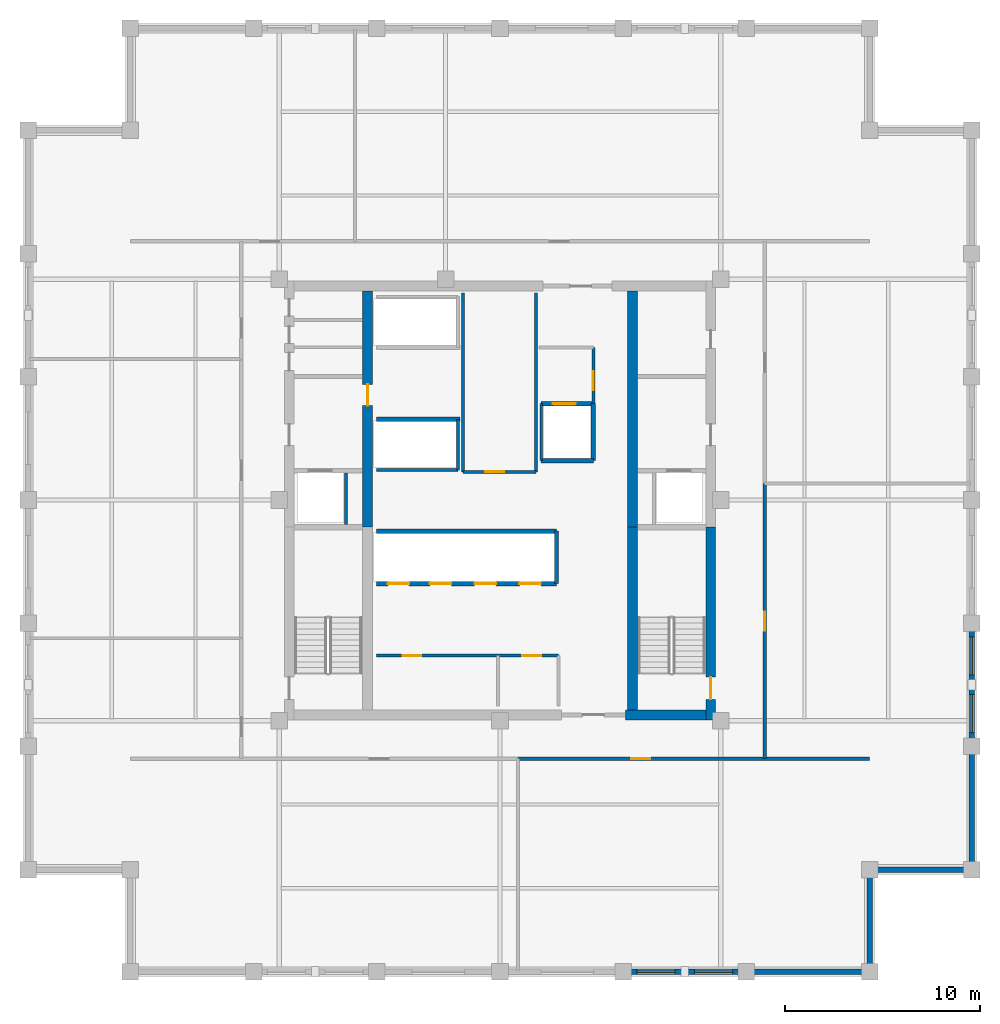
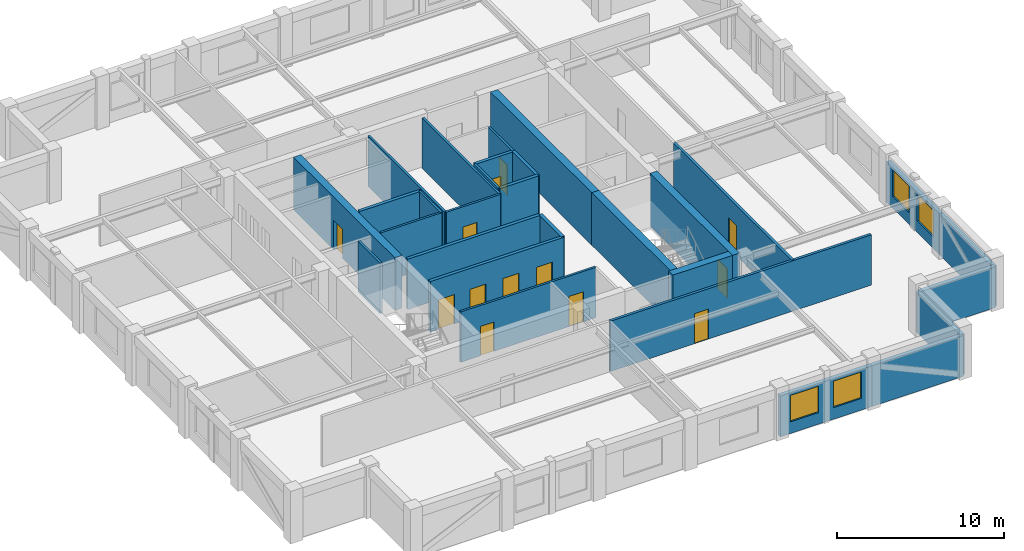
# One storey, part 3 of 6: 29 walls, 13 doors, 4 windows, 17 openings.
"""IFC4 building model written with IfcOpenShell, lengths in metres."""

import ifcopenshell
import ifcopenshell.guid

model = None  # the IFC model being written
_history = None  # IfcOwnerHistory: only IFC2X3 demands one
_inside = {}  # id of a spatial element -> (the spatial element, [elements in it])
_under = {}  # id of a project, library or spatial element -> (it, [spatial elements below it])
_declared = {}  # id of a project -> (the project, [libraries it declares])
_typed = {}  # id of a type object -> (the type object, [elements of that type])
_made_of = {}  # id of a material, layer set ... -> (it, [elements and type objects made of it])


def new_model(schema):
    """Start an empty IFC model of exactly this schema.

    Asked for "IFC4X3", IfcOpenShell would pick the latest addendum, in which some entities
    have other attributes; the version numbers below select the first issue.
    IFC2X3 requires an IfcOwnerHistory on every rooted entity: one is made here for all.
    """
    global model, _history
    if schema == "IFC4X3":
        model = ifcopenshell.file(schema_version=(4, 3, 0, 0))
    else:
        model = ifcopenshell.file(schema=schema)
    _inside.clear()
    _under.clear()
    _declared.clear()
    _typed.clear()
    _made_of.clear()
    _history = None
    if model.schema == "IFC2X3":
        org = make("IfcOrganization", Name="unknown")
        user = make(
            "IfcPersonAndOrganization",
            ThePerson=make("IfcPerson", FamilyName="unknown"),
            TheOrganization=org,
        )
        app = make(
            "IfcApplication",
            ApplicationDeveloper=org,
            Version="unknown",
            ApplicationFullName="unknown",
            ApplicationIdentifier="unknown",
        )
        _history = make(
            "IfcOwnerHistory",
            OwningUser=user,
            OwningApplication=app,
            ChangeAction="ADDED",
            CreationDate=0,
        )
    return model


def make(cls, **values):
    """One entity of the class cls with the attributes given. An attribute that is None is left unset."""
    return model.create_entity(
        cls, **{name: value for name, value in values.items() if value is not None}
    )


def rooted(cls, **values):
    """An entity with a GlobalId (a new one), such as an element, a storey or a relation."""
    return make(cls, GlobalId=ifcopenshell.guid.new(), OwnerHistory=_history, **values)


def si_unit(unit_type, name, prefix=None):
    """IfcSIUnit, for example si_unit("LENGTHUNIT", "METRE", prefix="MILLI")."""
    return make("IfcSIUnit", UnitType=unit_type, Prefix=prefix, Name=name)


def assignment(units):
    """IfcUnitAssignment: the units of a project."""
    return None if units is None else make("IfcUnitAssignment", Units=units)


def point(xyz):
    """IfcCartesianPoint."""
    return None if xyz is None else make("IfcCartesianPoint", Coordinates=xyz)


def direction(xyz):
    """IfcDirection."""
    return None if xyz is None else make("IfcDirection", DirectionRatios=xyz)


def frame(location, z_axis=None, x_axis=None):
    """IfcAxis2Placement3D, a coordinate frame: its origin and axes. An axis left out is left unset."""
    return make(
        "IfcAxis2Placement3D",
        Location=point(location),
        Axis=direction(z_axis),
        RefDirection=direction(x_axis),
    )


def frame_2d(location, x_axis=None):
    """IfcAxis2Placement2D, a coordinate frame in the plane: its origin and x axis."""
    return make(
        "IfcAxis2Placement2D", Location=point(location), RefDirection=direction(x_axis)
    )


def origin():
    """The frame at (0, 0, 0) with its axes left unset."""
    return frame((0.0, 0.0, 0.0))


def place(relative_to, where):
    """IfcLocalPlacement: puts the frame where relative to a parent placement (None: the world)."""
    return make(
        "IfcLocalPlacement", PlacementRelTo=relative_to, RelativePlacement=where
    )


def context(
    kind, dimensions, precision=None, world=None, true_north=None, identifier=None
):
    """IfcGeometricRepresentationContext, for example the 3D "Model" context."""
    return make(
        "IfcGeometricRepresentationContext",
        ContextIdentifier=identifier,
        ContextType=kind,
        CoordinateSpaceDimension=dimensions,
        Precision=precision,
        WorldCoordinateSystem=world,
        TrueNorth=true_north,
    )


def subcontext(parent, identifier, kind, view, scale=None):
    """IfcGeometricRepresentationSubContext, for example "Body" below "Model"."""
    return make(
        "IfcGeometricRepresentationSubContext",
        ContextIdentifier=identifier,
        ContextType=kind,
        ParentContext=parent,
        TargetScale=scale,
        TargetView=view,
    )


def project(units=None, contexts=None):
    """IfcProject with its units and contexts."""
    return rooted(
        "IfcProject",
        Name="project",
        RepresentationContexts=contexts,
        UnitsInContext=assignment(units),
    )


def spatial(cls, under=None, at=None, **own):
    """A site, building, storey or space (cls), placed at a placement, below another one or the project."""
    s = rooted(cls, ObjectPlacement=at, **own)
    if under is not None:
        _under.setdefault(under.id(), (under, []))[1].append(s)
    return s


def profile(cls, at=None, kind="AREA", **sizes):
    """A parametric profile (cls). Its sizes go by their IFC names, for example OverallWidth=200.0."""
    return make(cls, ProfileType=kind, Position=at, **sizes)


def rectangle(**sizes):
    """IfcRectangleProfileDef."""
    return profile("IfcRectangleProfileDef", **sizes)


def extrude(swept, where, along, depth):
    """IfcExtrudedAreaSolid: the profile swept, set in the frame where, extruded along a direction by depth."""
    return make(
        "IfcExtrudedAreaSolid",
        SweptArea=swept,
        Position=where,
        ExtrudedDirection=direction(along),
        Depth=depth,
    )


def shape(context_of_items, identifier, shape_type, items):
    """IfcShapeRepresentation: the items that make up one representation, for example the "Body"."""
    return make(
        "IfcShapeRepresentation",
        ContextOfItems=context_of_items,
        RepresentationIdentifier=identifier,
        RepresentationType=shape_type,
        Items=items,
    )


def material(Name=None, Category=None):
    """IfcMaterial."""
    return make("IfcMaterial", Name=Name, Category=Category)


def layer(
    of_material, thickness, ventilated=None, Name=None, Category=None, Priority=None
):
    """IfcMaterialLayer: one layer of a wall or slab, of a material (None: an air gap)."""
    return make(
        "IfcMaterialLayer",
        Material=of_material,
        LayerThickness=thickness,
        IsVentilated=ventilated,
        Name=Name,
        Category=Category,
        Priority=Priority,
    )


def layer_set(layers, Name=None):
    """IfcMaterialLayerSet."""
    return make("IfcMaterialLayerSet", MaterialLayers=layers, LayerSetName=Name)


def made_of(thing, what):
    """Note that an element or type object is made of a material, layer set ...; save() writes the relation."""
    if what is not None:
        _made_of.setdefault(what.id(), (what, []))[1].append(thing)
    return thing


def type_object(cls, material=None, **own):
    """A type object (cls), such as IfcWallType, which elements share."""
    return made_of(rooted(cls, **own), material)


def element(
    cls,
    number,
    at=None,
    inside=None,
    cuts=None,
    type_object=None,
    material=None,
    context=None,
    identifier="Body",
    shape_type=None,
    held_by="IfcProductDefinitionShape",
    body=None,
    shapes=None,
    **own,
):
    """One element of the class cls, such as IfcWall. Its Tag is "e" and its number.

    at: its placement. inside: the storey or other place that contains it. cuts: it is an
    opening in that element (IfcRelVoidsElement). A single representation is given by context,
    identifier, shape_type and body (its items); several are given by shapes. held_by: the class
    of the entity that holds the representations. save() writes the other relations.
    """
    e = rooted(cls, Tag="e%d" % number, ObjectPlacement=at, **own)
    if body is not None:
        shapes = [shape(context, identifier, shape_type, body)]
    if shapes is not None:
        e.Representation = make(held_by, Representations=shapes)
    if inside is not None:
        _inside.setdefault(inside.id(), (inside, []))[1].append(e)
    if cuts is not None:
        rooted(
            "IfcRelVoidsElement", RelatingBuildingElement=cuts, RelatedOpeningElement=e
        )
    if type_object is not None:
        _typed.setdefault(type_object.id(), (type_object, []))[1].append(e)
    return made_of(e, material)


def fill(opening, filler):
    """IfcRelFillsElement: the door or window that sits in an opening."""
    return rooted(
        "IfcRelFillsElement",
        RelatingOpeningElement=opening,
        RelatedBuildingElement=filler,
    )


def aggregate(whole, parts):
    """IfcRelAggregates: a whole, such as a stair, and the parts it consists of."""
    return rooted("IfcRelAggregates", RelatingObject=whole, RelatedObjects=parts)


def save(model, path):
    """Write the relations noted so far, then the file.

    IfcRelAggregates (storeys below a building ...), IfcRelContainedInSpatialStructure (elements
    in a storey), IfcRelDefinesByType, IfcRelAssociatesMaterial and IfcRelDeclares: one each for
    every whole, place, type object, material and project.
    """
    for whole, parts in _under.values():
        aggregate(whole, parts)
    for where, things in _inside.values():
        rooted(
            "IfcRelContainedInSpatialStructure",
            RelatedElements=things,
            RelatingStructure=where,
        )
    for kind, things in _typed.values():
        rooted("IfcRelDefinesByType", RelatedObjects=things, RelatingType=kind)
    for what, things in _made_of.values():
        rooted("IfcRelAssociatesMaterial", RelatedObjects=things, RelatingMaterial=what)
    for by, libraries in _declared.values():
        rooted("IfcRelDeclares", RelatingContext=by, RelatedDefinitions=libraries)
    model.write(path)


model = new_model("IFC4")

# Units and contexts
model_context = context("Model", 3, precision=1e-05, world=origin(), true_north=direction((0.0, 1.0)))
body_context = subcontext(model_context, "Body", "Model", "MODEL_VIEW")
ifc_project = project(units=[si_unit("LENGTHUNIT", "METRE"), si_unit("AREAUNIT", "SQUARE_METRE"), si_unit("VOLUMEUNIT", "CUBIC_METRE"), si_unit("PLANEANGLEUNIT", "RADIAN"), si_unit("MASSUNIT", "GRAM", prefix="KILO")], contexts=[model_context])

# Site, building, storey
site_placement = place(None, origin())
site = spatial("IfcSite", under=ifc_project, at=site_placement, CompositionType="ELEMENT")
building_placement = place(site_placement, origin())
building = spatial("IfcBuilding", under=site, at=building_placement, Name="Nhamokura Convention Tower", CompositionType="ELEMENT")
storey_placement = place(building_placement, frame((0.0, 0.0, 217.699951171875)))
storey = spatial("IfcBuildingStorey", under=building, at=storey_placement, Name="L53", CompositionType="ELEMENT", Elevation=217.699951171875)

# Wall, openings, windows
ifc_material_1 = material(Name="Bronze-pigmented precast concrete C45/55", Category="concrete")
ifc_layer_1 = layer(ifc_material_1, 0.280029296875)
ifc_layer_set_1 = layer_set([ifc_layer_1], Name="BronzePrecastSpandrel_280")
wall_type_1 = type_object("IfcWallType", Name="BronzePrecastSpandrel_280", PredefinedType="USERDEFINED", material=ifc_layer_set_1)
wall_1_placement = place(storey_placement, frame((44.666748046875, 7.75, 0.0), z_axis=(0.0, 0.0, 1.0), x_axis=(-1.0, 0.0, 0.0)))
wall_1 = element("IfcWall", 1, at=wall_1_placement, inside=storey, type_object=wall_type_1, Name="L53 Masonry-Frame Wall SOUTH 4", ObjectType="SPANDREL_WALL", PredefinedType="USERDEFINED", context=body_context, shape_type="SweptSolid", body=[
    extrude(rectangle(XDim=6.33349609375, YDim=0.280029296875, at=frame_2d((3.166748046875, 0.0))), origin(), (0.0, 0.0, 1.0), 2.985107421875),
])
opening_1_placement = place(wall_1_placement, frame((0.708251953125, 0.0, 0.85009765625)))
opening_1 = element("IfcOpeningElement", 2, at=opening_1_placement, cuts=wall_1, Name="Opening W-08", PredefinedType="OPENING", context=body_context, shape_type="SweptSolid", body=[
    extrude(rectangle(XDim=1.949951171875, YDim=1.93505859375, at=frame_2d((0.97509765625, 0.967529296875))), frame((0.0, 0.14990234375, 0.0), z_axis=(0.0, -1.0, 0.0), x_axis=(1.0, 0.0, 0.0)), (0.0, 0.0, 1.0), 0.300048828125),
])
opening_2_placement = place(wall_1_placement, frame((3.675048828125, 0.0, 0.85009765625)))
opening_2 = element("IfcOpeningElement", 3, at=opening_2_placement, cuts=wall_1, Name="Opening W-08", PredefinedType="OPENING", context=body_context, shape_type="SweptSolid", body=[
    extrude(rectangle(XDim=1.949951171875, YDim=1.93505859375, at=frame_2d((0.97509765625, 0.967529296875))), frame((0.0, 0.14990234375, 0.0), z_axis=(0.0, -1.0, 0.0), x_axis=(1.0, 0.0, 0.0)), (0.0, 0.0, 1.0), 0.300048828125),
])
ifc_material_2 = material(Name="Solar-control bronze low-E double glass", Category="glass")
window_type = type_object("IfcWindowType", Name="OfficeModuleWindow_Z3_1950", PartitioningType="SINGLE_PANEL", PredefinedType="WINDOW", material=ifc_material_2)
window_1_placement = place(opening_1_placement, origin())
window_1 = element("IfcWindow", 4, at=window_1_placement, inside=storey, type_object=window_type, Name="L53 Facade Window SOUTH 4-1", OverallHeight=1.93505859375, OverallWidth=1.949951171875, PartitioningType="SINGLE_PANEL", PredefinedType="WINDOW", context=body_context, shape_type="SweptSolid", body=[
    extrude(rectangle(XDim=1.949951171875, YDim=1.93505859375, at=frame_2d((0.97509765625, 0.967529296875))), frame((0.0, 0.030029296875, 0.0), z_axis=(0.0, -1.0, 0.0), x_axis=(1.0, 0.0, 0.0)), (0.0, 0.0, 1.0), 0.06005859375),
])
fill(opening_1, window_1)
window_2_placement = place(opening_2_placement, origin())
window_2 = element("IfcWindow", 5, at=window_2_placement, inside=storey, type_object=window_type, Name="L53 Facade Window SOUTH 4-2", OverallHeight=1.93505859375, OverallWidth=1.949951171875, PartitioningType="SINGLE_PANEL", PredefinedType="WINDOW", context=body_context, shape_type="SweptSolid", body=[
    extrude(rectangle(XDim=1.949951171875, YDim=1.93505859375, at=frame_2d((0.97509765625, 0.967529296875))), frame((0.0, 0.030029296875, 0.0), z_axis=(0.0, -1.0, 0.0), x_axis=(1.0, 0.0, 0.0)), (0.0, 0.0, 1.0), 0.06005859375),
])
fill(opening_2, window_2)

# Walls
for number, where, z_axis, x_axis, name in (
    (6, (51.0, 7.75, 0.0), (0.0, 0.0, 1.0), (-1.0, 0.0, 0.0), "L53 Braced-Bay Precast Wall SOUTH 5"),
    (7, (56.25, 19.333251953125, 0.0), (0.0, 0.0, 1.0), (0.0, -1.0, 0.0), "L53 Braced-Bay Precast Wall EAST 0"),
):
    element("IfcWall", number, at=place(storey_placement, frame(where, z_axis=z_axis, x_axis=x_axis)), inside=storey, type_object=wall_type_1, Name=name, ObjectType="SPANDREL_WALL", PredefinedType="USERDEFINED", context=body_context, shape_type="SweptSolid", body=[
        extrude(rectangle(XDim=6.333251953125, YDim=0.280029296875, at=frame_2d((3.16650390625, 0.0))), origin(), (0.0, 0.0, 1.0), 2.985107421875),
    ])

# Wall, openings, windows
wall_2_placement = place(storey_placement, frame((56.25, 25.666748046875, 0.0), z_axis=(0.0, 0.0, 1.0), x_axis=(0.0, -1.0, 0.0)))
wall_2 = element("IfcWall", 8, at=wall_2_placement, inside=storey, type_object=wall_type_1, Name="L53 Masonry-Frame Wall EAST 1", ObjectType="SPANDREL_WALL", PredefinedType="USERDEFINED", context=body_context, shape_type="SweptSolid", body=[
    extrude(rectangle(XDim=6.33349609375, YDim=0.280029296875, at=frame_2d((3.166748046875, 0.0))), origin(), (0.0, 0.0, 1.0), 2.985107421875),
])
opening_3_placement = place(wall_2_placement, frame((0.708251953125, 0.0, 0.85009765625)))
opening_3 = element("IfcOpeningElement", 9, at=opening_3_placement, cuts=wall_2, Name="Opening W-08", PredefinedType="OPENING", context=body_context, shape_type="SweptSolid", body=[
    extrude(rectangle(XDim=1.949951171875, YDim=1.93505859375, at=frame_2d((0.97509765625, 0.967529296875))), frame((0.0, 0.14990234375, 0.0), z_axis=(0.0, -1.0, 0.0), x_axis=(1.0, 0.0, 0.0)), (0.0, 0.0, 1.0), 0.300048828125),
])
opening_4_placement = place(wall_2_placement, frame((3.675048828125, 0.0, 0.85009765625)))
opening_4 = element("IfcOpeningElement", 10, at=opening_4_placement, cuts=wall_2, Name="Opening W-08", PredefinedType="OPENING", context=body_context, shape_type="SweptSolid", body=[
    extrude(rectangle(XDim=1.949951171875, YDim=1.93505859375, at=frame_2d((0.97509765625, 0.967529296875))), frame((0.0, 0.14990234375, 0.0), z_axis=(0.0, -1.0, 0.0), x_axis=(1.0, 0.0, 0.0)), (0.0, 0.0, 1.0), 0.300048828125),
])
window_3_placement = place(opening_3_placement, origin())
window_3 = element("IfcWindow", 11, at=window_3_placement, inside=storey, type_object=window_type, Name="L53 Facade Window EAST 1-1", OverallHeight=1.93505859375, OverallWidth=1.949951171875, PartitioningType="SINGLE_PANEL", PredefinedType="WINDOW", context=body_context, shape_type="SweptSolid", body=[
    extrude(rectangle(XDim=1.949951171875, YDim=1.93505859375, at=frame_2d((0.97509765625, 0.967529296875))), frame((0.0, 0.030029296875, 0.0), z_axis=(0.0, -1.0, 0.0), x_axis=(1.0, 0.0, 0.0)), (0.0, 0.0, 1.0), 0.06005859375),
])
fill(opening_3, window_3)
window_4_placement = place(opening_4_placement, origin())
window_4 = element("IfcWindow", 12, at=window_4_placement, inside=storey, type_object=window_type, Name="L53 Facade Window EAST 1-2", OverallHeight=1.93505859375, OverallWidth=1.949951171875, PartitioningType="SINGLE_PANEL", PredefinedType="WINDOW", context=body_context, shape_type="SweptSolid", body=[
    extrude(rectangle(XDim=1.949951171875, YDim=1.93505859375, at=frame_2d((0.97509765625, 0.967529296875))), frame((0.0, 0.030029296875, 0.0), z_axis=(0.0, -1.0, 0.0), x_axis=(1.0, 0.0, 0.0)), (0.0, 0.0, 1.0), 0.06005859375),
])
fill(opening_4, window_4)

# Walls
for number, where, z_axis, x_axis, name in (
    (13, (51.0, 13.0, 0.0), (0.0, 0.0, 1.0), (0.0, -1.0, 0.0), "L53 Notched Corner Wall SE1"),
    (14, (56.25, 13.0, 0.0), (0.0, 0.0, 1.0), (-1.0, 0.0, 0.0), "L53 Notched Corner Wall SE2"),
):
    element("IfcWall", number, at=place(storey_placement, frame(where, z_axis=z_axis, x_axis=x_axis)), inside=storey, type_object=wall_type_1, Name=name, ObjectType="SPANDREL_WALL", PredefinedType="USERDEFINED", context=body_context, shape_type="SweptSolid", body=[
        extrude(rectangle(XDim=5.25, YDim=0.280029296875, at=frame_2d((2.625, 0.0))), origin(), (0.0, 0.0, 1.0), 2.985107421875),
    ])

# Wall, opening, door
ifc_material_3 = material(Name="Concrete C60/75", Category="concrete")
ifc_layer_2 = layer(ifc_material_3, 0.5)
ifc_layer_set_2 = layer_set([ifc_layer_2], Name="CoreShearWall_500")
wall_type_2 = type_object("IfcWallType", Name="CoreShearWall_500", PredefinedType="SHEAR", material=ifc_layer_set_2)
wall_3_placement = place(storey_placement, frame((42.840087890625, 20.699951171875, 0.0), z_axis=(0.0, 0.0, 1.0), x_axis=(0.0, 1.0, 0.0)))
wall_3 = element("IfcWall", 15, at=wall_3_placement, inside=storey, type_object=wall_type_2, Name="L53 Core Shear Wall CW-ES", PredefinedType="SHEAR", context=body_context, shape_type="SweptSolid", body=[
    extrude(rectangle(XDim=9.900146484375, YDim=0.5, at=frame_2d((4.9501953125, 0.0))), origin(), (0.0, 0.0, 1.0), 3.85009765625),
])
opening_5_placement = place(wall_3_placement, frame((1.050048828125, 0.0, 0.0)))
opening_5 = element("IfcOpeningElement", 16, at=opening_5_placement, cuts=wall_3, Name="Opening D-04", PredefinedType="OPENING", context=body_context, shape_type="SweptSolid", body=[
    extrude(rectangle(XDim=1.14990234375, YDim=2.14990234375, at=frame_2d((0.574951171875, 1.074951171875))), frame((0.0, 0.260009765625, 0.0), z_axis=(0.0, -1.0, 0.0), x_axis=(1.0, 0.0, 0.0)), (0.0, 0.0, 1.0), 0.52001953125),
])
ifc_material_4 = material(Name="Fire-rated steel door", Category="steel")
door_type_1 = type_object("IfcDoorType", Name="StairSmokeDoor_1150", OperationType="NOTDEFINED", PredefinedType="DOOR", material=ifc_material_4)
door_1_placement = place(opening_5_placement, origin())
door_1 = element("IfcDoor", 17, at=door_1_placement, inside=storey, type_object=door_type_1, Name="L53 Core Door INT-L53-D-ST02", OperationType="SINGLE_SWING_RIGHT", OverallHeight=2.14990234375, OverallWidth=1.14990234375, PredefinedType="DOOR", context=body_context, shape_type="SweptSolid", body=[
    extrude(rectangle(XDim=1.14990234375, YDim=2.14990234375, at=frame_2d((0.574951171875, 1.074951171875))), frame((0.0, 0.02490234375, 0.0), z_axis=(0.0, -1.0, 0.0), x_axis=(1.0, 0.0, 0.0)), (0.0, 0.0, 1.0), 0.050048828125),
])
fill(opening_5, door_1)

# Wall
wall_4_placement = place(storey_placement, frame((38.449951171875, 20.949951171875, 0.0), z_axis=(0.0, 0.0, 1.0), x_axis=(1.0, 0.0, 0.0)))
element("IfcWall", 18, at=wall_4_placement, inside=storey, type_object=wall_type_2, Name="L53 Core Shear Wall CW-S2", PredefinedType="SHEAR", context=body_context, shape_type="SweptSolid", body=[
    extrude(rectangle(XDim=4.14013671875, YDim=0.5, at=frame_2d((2.070068359375, 0.0))), origin(), (0.0, 0.0, 1.0), 3.85009765625),
])

# Wall, opening, door
wall_5_placement = place(storey_placement, frame((25.18994140625, 30.60009765625, 0.0), z_axis=(0.0, 0.0, 1.0), x_axis=(0.0, 1.0, 0.0)))
wall_5 = element("IfcWall", 19, at=wall_5_placement, inside=storey, type_object=wall_type_2, Name="L53 Core Shear Wall CW-IWN", PredefinedType="SHEAR", context=body_context, shape_type="SweptSolid", body=[
    extrude(rectangle(XDim=12.14990234375, YDim=0.5, at=frame_2d((6.074951171875, 0.0))), origin(), (0.0, 0.0, 1.0), 3.85009765625),
])
opening_6_placement = place(wall_5_placement, frame((6.25, 0.0, 0.0)))
opening_6 = element("IfcOpeningElement", 20, at=opening_6_placement, cuts=wall_5, Name="Opening D-05", PredefinedType="OPENING", context=body_context, shape_type="SweptSolid", body=[
    extrude(rectangle(XDim=1.10009765625, YDim=2.14990234375, at=frame_2d((0.550048828125, 1.074951171875))), frame((0.0, 0.260009765625, 0.0), z_axis=(0.0, -1.0, 0.0), x_axis=(1.0, 0.0, 0.0)), (0.0, 0.0, 1.0), 0.52001953125),
])
ifc_material_5 = material(Name="Fire-rated steel door", Category="steel")
door_type_2 = type_object("IfcDoorType", Name="FireLobbyDoor_1100", OperationType="NOTDEFINED", PredefinedType="DOOR", material=ifc_material_5)
door_2_placement = place(opening_6_placement, origin())
door_2 = element("IfcDoor", 21, at=door_2_placement, inside=storey, type_object=door_type_2, Name="L53 Core Door INT-L53-D-B3LOB", OperationType="SINGLE_SWING_LEFT", OverallHeight=2.14990234375, OverallWidth=1.10009765625, PredefinedType="DOOR", context=body_context, shape_type="SweptSolid", body=[
    extrude(rectangle(XDim=1.10009765625, YDim=2.14990234375, at=frame_2d((0.550048828125, 1.074951171875))), frame((0.0, 0.02490234375, 0.0), z_axis=(0.0, -1.0, 0.0), x_axis=(1.0, 0.0, 0.0)), (0.0, 0.0, 1.0), 0.050048828125),
])
fill(opening_6, door_2)

# Walls
wall_6_placement = place(storey_placement, frame((38.81005859375, 21.199951171875, 0.0), z_axis=(0.0, 0.0, 1.0), x_axis=(0.0, 1.0, 0.0)))
element("IfcWall", 22, at=wall_6_placement, inside=storey, type_object=wall_type_2, Name="L53 Core Shear Wall CW-IES", PredefinedType="SHEAR", context=body_context, shape_type="SweptSolid", body=[
    extrude(rectangle(XDim=9.400146484375, YDim=0.5, at=frame_2d((4.7001953125, 0.0))), origin(), (0.0, 0.0, 1.0), 3.85009765625),
])
wall_7_placement = place(storey_placement, frame((38.81005859375, 30.60009765625, 0.0), z_axis=(0.0, 0.0, 1.0), x_axis=(0.0, 1.0, 0.0)))
element("IfcWall", 23, at=wall_7_placement, inside=storey, type_object=wall_type_2, Name="L53 Core Shear Wall CW-IEN", PredefinedType="SHEAR", context=body_context, shape_type="SweptSolid", body=[
    extrude(rectangle(XDim=12.14990234375, YDim=0.5, at=frame_2d((6.074951171875, 0.0))), origin(), (0.0, 0.0, 1.0), 3.85009765625),
])

# Wall, opening, door
ifc_material_6 = material(Name="Fire-rated gypsum and masonry partition", Category="masonry")
ifc_layer_3 = layer(ifc_material_6, 0.179931640625)
ifc_layer_set_3 = layer_set([ifc_layer_3], Name="CorridorRatedWall_180")
wall_type_3 = type_object("IfcWallType", Name="CorridorRatedWall_180", PredefinedType="STANDARD", material=ifc_layer_set_3)
wall_8_placement = place(storey_placement, frame((32.925048828125, 18.699951171875, 0.0), z_axis=(0.0, 0.0, 1.0), x_axis=(1.0, 0.0, 0.0)))
wall_8 = element("IfcWall", 24, at=wall_8_placement, inside=storey, type_object=wall_type_3, Name="L53 Wall INT-L53-CW-S01", PredefinedType="STANDARD", context=body_context, shape_type="SweptSolid", body=[
    extrude(rectangle(XDim=18.074951171875, YDim=0.179931640625, at=frame_2d((9.03759765625, 0.0))), origin(), (0.0, 0.0, 1.0), 3.68505859375),
])
opening_7_placement = place(wall_8_placement, frame((5.8125, 0.0, 0.0)))
opening_7 = element("IfcOpeningElement", 25, at=opening_7_placement, cuts=wall_8, Name="Opening D-08", PredefinedType="OPENING", context=body_context, shape_type="SweptSolid", body=[
    extrude(rectangle(XDim=0.97998046875, YDim=2.199951171875, at=frame_2d((0.489990234375, 1.10009765625))), frame((0.0, 0.099853515625, 0.0), z_axis=(0.0, -1.0, 0.0), x_axis=(1.0, 0.0, 0.0)), (0.0, 0.0, 1.0), 0.199951171875),
])
ifc_material_7 = material(Name="Solid oak hardwood", Category="wood")
door_type_3 = type_object("IfcDoorType", Name="OfficeEntryDoor_980", OperationType="NOTDEFINED", PredefinedType="DOOR", material=ifc_material_7)
door_3_placement = place(opening_7_placement, origin())
door_3 = element("IfcDoor", 26, at=door_3_placement, inside=storey, type_object=door_type_3, Name="L53 Model Workshop S02 Door", OperationType="SINGLE_SWING_RIGHT", OverallHeight=2.199951171875, OverallWidth=0.97998046875, PredefinedType="DOOR", context=body_context, shape_type="SweptSolid", body=[
    extrude(rectangle(XDim=0.97998046875, YDim=2.199951171875, at=frame_2d((0.489990234375, 1.10009765625))), frame((0.0, 0.02490234375, 0.0), z_axis=(0.0, -1.0, 0.0), x_axis=(1.0, 0.0, 0.0)), (0.0, 0.0, 1.0), 0.050048828125),
])
fill(opening_7, door_3)

wall_9_placement = place(storey_placement, frame((45.60009765625, 18.699951171875, 0.0), z_axis=(0.0, 0.0, 1.0), x_axis=(0.0, 1.0, 0.0)))
wall_9 = element("IfcWall", 27, at=wall_9_placement, inside=storey, type_object=wall_type_3, Name="L53 Wall INT-L53-CW-E00", PredefinedType="STANDARD", context=body_context, shape_type="SweptSolid", body=[
    extrude(rectangle(XDim=14.150146484375, YDim=0.179931640625, at=frame_2d((7.0751953125, 0.0))), origin(), (0.0, 0.0, 1.0), 3.68505859375),
])
opening_8_placement = place(wall_9_placement, frame((6.574951171875, 0.0, 0.0)))
opening_8 = element("IfcOpeningElement", 28, at=opening_8_placement, cuts=wall_9, Name="Opening D-08", PredefinedType="OPENING", context=body_context, shape_type="SweptSolid", body=[
    extrude(rectangle(XDim=0.97998046875, YDim=2.199951171875, at=frame_2d((0.489990234375, 1.10009765625))), frame((0.0, 0.099853515625, 0.0), z_axis=(0.0, -1.0, 0.0), x_axis=(1.0, 0.0, 0.0)), (0.0, 0.0, 1.0), 0.199951171875),
])
door_4_placement = place(opening_8_placement, origin())
door_4 = element("IfcDoor", 29, at=door_4_placement, inside=storey, type_object=door_type_3, Name="L53 Client Lounge E01 Door", OperationType="SINGLE_SWING_LEFT", OverallHeight=2.199951171875, OverallWidth=0.97998046875, PredefinedType="DOOR", context=body_context, shape_type="SweptSolid", body=[
    extrude(rectangle(XDim=0.97998046875, YDim=2.199951171875, at=frame_2d((0.489990234375, 1.10009765625))), frame((0.0, 0.02490234375, 0.0), z_axis=(0.0, -1.0, 0.0), x_axis=(1.0, 0.0, 0.0)), (0.0, 0.0, 1.0), 0.050048828125),
])
fill(opening_8, door_4)

# Wall, openings, doors
ifc_material_8 = material(Name="Autoclaved concrete blockwork", Category="masonry")
ifc_layer_4 = layer(ifc_material_8, 0.219970703125)
ifc_layer_set_4 = layer_set([ifc_layer_4], Name="FireLobbyWall_220")
wall_type_4 = type_object("IfcWallType", Name="FireLobbyWall_220", PredefinedType="STANDARD", material=ifc_layer_set_4)
wall_10_placement = place(storey_placement, frame((25.64990234375, 27.699951171875, 0.0), z_axis=(0.0, 0.0, 1.0), x_axis=(1.0, 0.0, 0.0)))
wall_10 = element("IfcWall", 30, at=wall_10_placement, inside=storey, type_object=wall_type_4, Name="L53 Wall INT-L53-B2S", PredefinedType="STANDARD", context=body_context, shape_type="SweptSolid", body=[
    extrude(rectangle(XDim=9.25, YDim=0.219970703125, at=frame_2d((4.625, 0.0))), origin(), (0.0, 0.0, 1.0), 3.68505859375),
])
opening_9_placement = place(wall_10_placement, frame((0.580078125, 0.0, 0.0)))
opening_9 = element("IfcOpeningElement", 31, at=opening_9_placement, cuts=wall_10, Name="Opening LD-01", PredefinedType="OPENING", context=body_context, shape_type="SweptSolid", body=[
    extrude(rectangle(XDim=1.10009765625, YDim=2.14990234375, at=frame_2d((0.550048828125, 1.074951171875))), frame((0.0, 0.119873046875, 0.0), z_axis=(0.0, -1.0, 0.0), x_axis=(1.0, 0.0, 0.0)), (0.0, 0.0, 1.0), 0.239990234375),
])
opening_10_placement = place(wall_10_placement, frame((2.75, 0.0, 0.0)))
opening_10 = element("IfcOpeningElement", 32, at=opening_10_placement, cuts=wall_10, Name="Opening LD-01", PredefinedType="OPENING", context=body_context, shape_type="SweptSolid", body=[
    extrude(rectangle(XDim=1.10009765625, YDim=2.14990234375, at=frame_2d((0.550048828125, 1.074951171875))), frame((0.0, 0.119873046875, 0.0), z_axis=(0.0, -1.0, 0.0), x_axis=(1.0, 0.0, 0.0)), (0.0, 0.0, 1.0), 0.239990234375),
])
opening_11_placement = place(wall_10_placement, frame((5.050048828125, 0.0, 0.0)))
opening_11 = element("IfcOpeningElement", 33, at=opening_11_placement, cuts=wall_10, Name="Opening LD-01", PredefinedType="OPENING", context=body_context, shape_type="SweptSolid", body=[
    extrude(rectangle(XDim=1.10009765625, YDim=2.14990234375, at=frame_2d((0.550048828125, 1.074951171875))), frame((0.0, 0.119873046875, 0.0), z_axis=(0.0, -1.0, 0.0), x_axis=(1.0, 0.0, 0.0)), (0.0, 0.0, 1.0), 0.239990234375),
])
opening_12_placement = place(wall_10_placement, frame((7.35009765625, 0.0, 0.0)))
opening_12 = element("IfcOpeningElement", 34, at=opening_12_placement, cuts=wall_10, Name="Opening LD-01", PredefinedType="OPENING", context=body_context, shape_type="SweptSolid", body=[
    extrude(rectangle(XDim=1.10009765625, YDim=2.14990234375, at=frame_2d((0.550048828125, 1.074951171875))), frame((0.0, 0.119873046875, 0.0), z_axis=(0.0, -1.0, 0.0), x_axis=(1.0, 0.0, 0.0)), (0.0, 0.0, 1.0), 0.239990234375),
])
ifc_material_9 = material(Name="Anodised bronze stainless steel", Category="steel")
door_type_4 = type_object("IfcDoorType", Name="LiftLandingDoor_Passenger", OperationType="DOUBLE_DOOR_SLIDING", PredefinedType="DOOR", material=ifc_material_9)
door_5_placement = place(opening_9_placement, origin())
door_5 = element("IfcDoor", 35, at=door_5_placement, inside=storey, type_object=door_type_4, Name="L53 Lift LP-05 Landing Door", OperationType="DOUBLE_DOOR_SLIDING", OverallHeight=2.14990234375, OverallWidth=1.10009765625, PredefinedType="DOOR", context=body_context, shape_type="SweptSolid", body=[
    extrude(rectangle(XDim=1.10009765625, YDim=2.14990234375, at=frame_2d((0.550048828125, 1.074951171875))), frame((0.0, 0.02490234375, 0.0), z_axis=(0.0, -1.0, 0.0), x_axis=(1.0, 0.0, 0.0)), (0.0, 0.0, 1.0), 0.050048828125),
])
fill(opening_9, door_5)
door_6_placement = place(opening_10_placement, origin())
door_6 = element("IfcDoor", 36, at=door_6_placement, inside=storey, type_object=door_type_4, Name="L53 Lift LP-06 Landing Door", OperationType="DOUBLE_DOOR_SLIDING", OverallHeight=2.14990234375, OverallWidth=1.10009765625, PredefinedType="DOOR", context=body_context, shape_type="SweptSolid", body=[
    extrude(rectangle(XDim=1.10009765625, YDim=2.14990234375, at=frame_2d((0.550048828125, 1.074951171875))), frame((0.0, 0.02490234375, 0.0), z_axis=(0.0, -1.0, 0.0), x_axis=(1.0, 0.0, 0.0)), (0.0, 0.0, 1.0), 0.050048828125),
])
fill(opening_10, door_6)
door_7_placement = place(opening_11_placement, origin())
door_7 = element("IfcDoor", 37, at=door_7_placement, inside=storey, type_object=door_type_4, Name="L53 Lift LP-07 Landing Door", OperationType="DOUBLE_DOOR_SLIDING", OverallHeight=2.14990234375, OverallWidth=1.10009765625, PredefinedType="DOOR", context=body_context, shape_type="SweptSolid", body=[
    extrude(rectangle(XDim=1.10009765625, YDim=2.14990234375, at=frame_2d((0.550048828125, 1.074951171875))), frame((0.0, 0.02490234375, 0.0), z_axis=(0.0, -1.0, 0.0), x_axis=(1.0, 0.0, 0.0)), (0.0, 0.0, 1.0), 0.050048828125),
])
fill(opening_11, door_7)
door_8_placement = place(opening_12_placement, origin())
door_8 = element("IfcDoor", 38, at=door_8_placement, inside=storey, type_object=door_type_4, Name="L53 Lift LP-08 Landing Door", OperationType="DOUBLE_DOOR_SLIDING", OverallHeight=2.14990234375, OverallWidth=1.10009765625, PredefinedType="DOOR", context=body_context, shape_type="SweptSolid", body=[
    extrude(rectangle(XDim=1.10009765625, YDim=2.14990234375, at=frame_2d((0.550048828125, 1.074951171875))), frame((0.0, 0.02490234375, 0.0), z_axis=(0.0, -1.0, 0.0), x_axis=(1.0, 0.0, 0.0)), (0.0, 0.0, 1.0), 0.050048828125),
])
fill(opening_12, door_8)

# Walls
wall_11_placement = place(storey_placement, frame((25.64990234375, 30.39990234375, 0.0), z_axis=(0.0, 0.0, 1.0), x_axis=(1.0, 0.0, 0.0)))
element("IfcWall", 39, at=wall_11_placement, inside=storey, type_object=wall_type_4, Name="L53 Wall INT-L53-B2N", PredefinedType="STANDARD", context=body_context, shape_type="SweptSolid", body=[
    extrude(rectangle(XDim=9.25, YDim=0.219970703125, at=frame_2d((4.625, 0.0))), origin(), (0.0, 0.0, 1.0), 3.68505859375),
])
wall_12_placement = place(storey_placement, frame((34.89990234375, 27.699951171875, 0.0), z_axis=(0.0, 0.0, 1.0), x_axis=(0.0, 1.0, 0.0)))
element("IfcWall", 40, at=wall_12_placement, inside=storey, type_object=wall_type_4, Name="L53 Wall INT-L53-B2E", PredefinedType="STANDARD", context=body_context, shape_type="SweptSolid", body=[
    extrude(rectangle(XDim=2.699951171875, YDim=0.219970703125, at=frame_2d((1.35009765625, 0.0))), origin(), (0.0, 0.0, 1.0), 3.68505859375),
])
wall_13_placement = place(storey_placement, frame((25.64990234375, 36.14990234375, 0.0), z_axis=(0.0, 0.0, 1.0), x_axis=(1.0, 0.0, 0.0)))
element("IfcWall", 41, at=wall_13_placement, inside=storey, type_object=wall_type_4, Name="L53 Wall INT-L53-B3S", PredefinedType="STANDARD", context=body_context, shape_type="SweptSolid", body=[
    extrude(rectangle(XDim=4.300048828125, YDim=0.219970703125, at=frame_2d((2.14990234375, 0.0))), origin(), (0.0, 0.0, 1.0), 3.68505859375),
])

# Wall, opening, door
wall_14_placement = place(storey_placement, frame((34.1201171875, 36.949951171875, 0.0), z_axis=(0.0, 0.0, 1.0), x_axis=(1.0, 0.0, 0.0)))
wall_14 = element("IfcWall", 42, at=wall_14_placement, inside=storey, type_object=wall_type_4, Name="L53 Wall INT-L53-LSN", PredefinedType="STANDARD", context=body_context, shape_type="SweptSolid", body=[
    extrude(rectangle(XDim=2.679931640625, YDim=0.219970703125, at=frame_2d((1.33984375, 0.0))), origin(), (0.0, 0.0, 1.0), 3.68505859375),
])
opening_13_placement = place(wall_14_placement, frame((0.580078125, 0.0, 0.0)))
opening_13 = element("IfcOpeningElement", 43, at=opening_13_placement, cuts=wall_14, Name="Opening LD-02", PredefinedType="OPENING", context=body_context, shape_type="SweptSolid", body=[
    extrude(rectangle(XDim=1.199951171875, YDim=2.199951171875, at=frame_2d((0.60009765625, 1.10009765625))), frame((0.0, 0.119873046875, 0.0), z_axis=(0.0, -1.0, 0.0), x_axis=(1.0, 0.0, 0.0)), (0.0, 0.0, 1.0), 0.239990234375),
])
ifc_material_10 = material(Name="Anodised bronze stainless steel", Category="steel")
door_type_5 = type_object("IfcDoorType", Name="LiftLandingDoor_FireService", OperationType="DOUBLE_DOOR_SLIDING", PredefinedType="DOOR", material=ifc_material_10)
door_9_placement = place(opening_13_placement, origin())
door_9 = element("IfcDoor", 44, at=door_9_placement, inside=storey, type_object=door_type_5, Name="L53 Service Lift LS-01 Door", OperationType="DOUBLE_DOOR_SLIDING", OverallHeight=2.199951171875, OverallWidth=1.199951171875, PredefinedType="DOOR", context=body_context, shape_type="SweptSolid", body=[
    extrude(rectangle(XDim=1.199951171875, YDim=2.199951171875, at=frame_2d((0.60009765625, 1.10009765625))), frame((0.0, 0.02490234375, 0.0), z_axis=(0.0, -1.0, 0.0), x_axis=(1.0, 0.0, 0.0)), (0.0, 0.0, 1.0), 0.050048828125),
])
fill(opening_13, door_9)

# Walls
wall_15_placement = place(storey_placement, frame((36.800048828125, 34.02001953125, 0.0), z_axis=(0.0, 0.0, 1.0), x_axis=(0.0, 1.0, 0.0)))
element("IfcWall", 45, at=wall_15_placement, inside=storey, type_object=wall_type_4, Name="L53 Wall INT-L53-LSE", PredefinedType="STANDARD", context=body_context, shape_type="SweptSolid", body=[
    extrude(rectangle(XDim=2.929931640625, YDim=0.219970703125, at=frame_2d((1.46484375, 0.0))), origin(), (0.0, 0.0, 1.0), 3.68505859375),
])
wall_16_placement = place(storey_placement, frame((34.1201171875, 34.02001953125, 0.0), z_axis=(0.0, 0.0, 1.0), x_axis=(1.0, 0.0, 0.0)))
element("IfcWall", 46, at=wall_16_placement, inside=storey, type_object=wall_type_4, Name="L53 Wall INT-L53-LSS", PredefinedType="STANDARD", context=body_context, shape_type="SweptSolid", body=[
    extrude(rectangle(XDim=2.679931640625, YDim=0.219970703125, at=frame_2d((1.33984375, 0.0))), origin(), (0.0, 0.0, 1.0), 3.68505859375),
])
ifc_material_11 = material(Name="Acoustic gypsum stud partition", Category="masonry")
ifc_layer_5 = layer(ifc_material_11, 0.14990234375)
ifc_layer_set_5 = layer_set([ifc_layer_5], Name="InteriorPartition_150")
wall_type_5 = type_object("IfcWallType", Name="InteriorPartition_150", PredefinedType="STANDARD", material=ifc_layer_set_5)
wall_17_placement = place(storey_placement, frame((24.080078125, 30.75, 0.0), z_axis=(0.0, 0.0, 1.0), x_axis=(0.0, 1.0, 0.0)))
element("IfcWall", 47, at=wall_17_placement, inside=storey, type_object=wall_type_5, Name="L53 Wall INT-L53-FF1-E", PredefinedType="STANDARD", context=body_context, shape_type="SweptSolid", body=[
    extrude(rectangle(XDim=2.64990234375, YDim=0.14990234375, at=frame_2d((1.324951171875, 0.0))), origin(), (0.0, 0.0, 1.0), 3.68505859375),
])

# Wall, opening, door
wall_18_placement = place(storey_placement, frame((36.800048828125, 36.949951171875, 0.0), z_axis=(0.0, 0.0, 1.0), x_axis=(0.0, 1.0, 0.0)))
wall_18 = element("IfcWall", 48, at=wall_18_placement, inside=storey, type_object=wall_type_5, Name="L53 Wall INT-L53-NE-TELE", PredefinedType="STANDARD", context=body_context, shape_type="SweptSolid", body=[
    extrude(rectangle(XDim=2.900146484375, YDim=0.14990234375, at=frame_2d((1.4501953125, 0.0))), origin(), (0.0, 0.0, 1.0), 3.68505859375),
])
opening_14_placement = place(wall_18_placement, frame((0.699951171875, 0.0, 0.0)))
opening_14 = element("IfcOpeningElement", 49, at=opening_14_placement, cuts=wall_18, Name="Opening D-08", PredefinedType="OPENING", context=body_context, shape_type="SweptSolid", body=[
    extrude(rectangle(XDim=0.97998046875, YDim=2.199951171875, at=frame_2d((0.489990234375, 1.10009765625))), frame((0.0, 0.0849609375, 0.0), z_axis=(0.0, -1.0, 0.0), x_axis=(1.0, 0.0, 0.0)), (0.0, 0.0, 1.0), 0.169921875),
])
door_10_placement = place(opening_14_placement, origin())
door_10 = element("IfcDoor", 50, at=door_10_placement, inside=storey, type_object=door_type_3, Name="L53 Core Telecom Door", OperationType="SINGLE_SWING_LEFT", OverallHeight=2.199951171875, OverallWidth=0.97998046875, PredefinedType="DOOR", context=body_context, shape_type="SweptSolid", body=[
    extrude(rectangle(XDim=0.97998046875, YDim=2.199951171875, at=frame_2d((0.489990234375, 1.10009765625))), frame((0.0, 0.02490234375, 0.0), z_axis=(0.0, -1.0, 0.0), x_axis=(1.0, 0.0, 0.0)), (0.0, 0.0, 1.0), 0.050048828125),
])
fill(opening_14, door_10)

# Wall, openings, doors
wall_19_placement = place(storey_placement, frame((25.64990234375, 24.0, 0.0), z_axis=(0.0, 0.0, 1.0), x_axis=(1.0, 0.0, 0.0)))
wall_19 = element("IfcWall", 51, at=wall_19_placement, inside=storey, type_object=wall_type_5, Name="L53 Wall INT-L53-B1R-N", PredefinedType="STANDARD", context=body_context, shape_type="SweptSolid", body=[
    extrude(rectangle(XDim=9.35009765625, YDim=0.14990234375, at=frame_2d((4.675048828125, 0.0))), origin(), (0.0, 0.0, 1.0), 3.68505859375),
])
opening_15_placement = place(wall_19_placement, frame((1.35009765625, 0.0, 0.0)))
opening_15 = element("IfcOpeningElement", 52, at=opening_15_placement, cuts=wall_19, Name="Opening D-09", PredefinedType="OPENING", context=body_context, shape_type="SweptSolid", body=[
    extrude(rectangle(XDim=0.949951171875, YDim=2.14990234375, at=frame_2d((0.47509765625, 1.074951171875))), frame((0.0, 0.0849609375, 0.0), z_axis=(0.0, -1.0, 0.0), x_axis=(1.0, 0.0, 0.0)), (0.0, 0.0, 1.0), 0.169921875),
])
opening_16_placement = place(wall_19_placement, frame((7.5, 0.0, 0.0)))
opening_16 = element("IfcOpeningElement", 53, at=opening_16_placement, cuts=wall_19, Name="Opening D-08", PredefinedType="OPENING", context=body_context, shape_type="SweptSolid", body=[
    extrude(rectangle(XDim=0.97998046875, YDim=2.199951171875, at=frame_2d((0.489990234375, 1.10009765625))), frame((0.0, 0.0849609375, 0.0), z_axis=(0.0, -1.0, 0.0), x_axis=(1.0, 0.0, 0.0)), (0.0, 0.0, 1.0), 0.169921875),
])
ifc_material_12 = material(Name="Solid oak hardwood", Category="wood")
door_type_6 = type_object("IfcDoorType", Name="MeetingRoomDoor_950", OperationType="NOTDEFINED", PredefinedType="DOOR", material=ifc_material_12)
door_11_placement = place(opening_15_placement, origin())
door_11 = element("IfcDoor", 54, at=door_11_placement, inside=storey, type_object=door_type_6, Name="L53 Reclaimed Briefing Room Door", OperationType="SINGLE_SWING_RIGHT", OverallHeight=2.14990234375, OverallWidth=0.949951171875, PredefinedType="DOOR", context=body_context, shape_type="SweptSolid", body=[
    extrude(rectangle(XDim=0.949951171875, YDim=2.14990234375, at=frame_2d((0.47509765625, 1.074951171875))), frame((0.0, 0.02490234375, 0.0), z_axis=(0.0, -1.0, 0.0), x_axis=(1.0, 0.0, 0.0)), (0.0, 0.0, 1.0), 0.050048828125),
])
fill(opening_15, door_11)
door_12_placement = place(opening_16_placement, origin())
door_12 = element("IfcDoor", 55, at=door_12_placement, inside=storey, type_object=door_type_3, Name="L53 Reclaimed Hub Door", OperationType="SINGLE_SWING_LEFT", OverallHeight=2.199951171875, OverallWidth=0.97998046875, PredefinedType="DOOR", context=body_context, shape_type="SweptSolid", body=[
    extrude(rectangle(XDim=0.97998046875, YDim=2.199951171875, at=frame_2d((0.489990234375, 1.10009765625))), frame((0.0, 0.02490234375, 0.0), z_axis=(0.0, -1.0, 0.0), x_axis=(1.0, 0.0, 0.0)), (0.0, 0.0, 1.0), 0.050048828125),
])
fill(opening_16, door_12)

# Walls
wall_20_placement = place(storey_placement, frame((25.64990234375, 33.550048828125, 0.0), z_axis=(0.0, 0.0, 1.0), x_axis=(1.0, 0.0, 0.0)))
element("IfcWall", 56, at=wall_20_placement, inside=storey, type_object=wall_type_5, Name="L53 Wall INT-L53-B3A-S", PredefinedType="STANDARD", context=body_context, shape_type="SweptSolid", body=[
    extrude(rectangle(XDim=4.2001953125, YDim=0.14990234375, at=frame_2d((2.10009765625, 0.0))), origin(), (0.0, 0.0, 1.0), 3.68505859375),
])
wall_21_placement = place(storey_placement, frame((29.85009765625, 33.550048828125, 0.0), z_axis=(0.0, 0.0, 1.0), x_axis=(0.0, 1.0, 0.0)))
element("IfcWall", 57, at=wall_21_placement, inside=storey, type_object=wall_type_5, Name="L53 Wall INT-L53-B3A-E", PredefinedType="STANDARD", context=body_context, shape_type="SweptSolid", body=[
    extrude(rectangle(XDim=2.599853515625, YDim=0.14990234375, at=frame_2d((1.2998046875, 0.0))), origin(), (0.0, 0.0, 1.0), 3.68505859375),
])
for number, where, z_axis, x_axis, name in (
    (58, (30.10009765625, 33.449951171875, 0.0), (0.0, 0.0, 1.0), (0.0, 1.0, 0.0), "L53 Wall INT-L53-ST03W"),
    (59, (33.85009765625, 33.449951171875, 0.0), (0.0, 0.0, 1.0), (0.0, 1.0, 0.0), "L53 Wall INT-L53-ST03E"),
):
    element("IfcWall", number, at=place(storey_placement, frame(where, z_axis=z_axis, x_axis=x_axis)), inside=storey, type_object=wall_type_5, Name=name, PredefinedType="STANDARD", context=body_context, shape_type="SweptSolid", body=[
        extrude(rectangle(XDim=9.199951171875, YDim=0.14990234375, at=frame_2d((4.60009765625, 0.0))), origin(), (0.0, 0.0, 1.0), 3.68505859375),
    ])

# Wall, opening, door
wall_22_placement = place(storey_placement, frame((30.10009765625, 33.449951171875, 0.0), z_axis=(0.0, 0.0, 1.0), x_axis=(1.0, 0.0, 0.0)))
wall_22 = element("IfcWall", 60, at=wall_22_placement, inside=storey, type_object=wall_type_5, Name="L53 Wall INT-L53-ST03S", PredefinedType="STANDARD", context=body_context, shape_type="SweptSolid", body=[
    extrude(rectangle(XDim=3.75, YDim=0.14990234375, at=frame_2d((1.875, 0.0))), origin(), (0.0, 0.0, 1.0), 3.68505859375),
])
opening_17_placement = place(wall_22_placement, frame((1.14990234375, 0.0, 0.0)))
opening_17 = element("IfcOpeningElement", 61, at=opening_17_placement, cuts=wall_22, Name="Opening D-08", PredefinedType="OPENING", context=body_context, shape_type="SweptSolid", body=[
    extrude(rectangle(XDim=0.97998046875, YDim=2.199951171875, at=frame_2d((0.489990234375, 1.10009765625))), frame((0.0, 0.0849609375, 0.0), z_axis=(0.0, -1.0, 0.0), x_axis=(1.0, 0.0, 0.0)), (0.0, 0.0, 1.0), 0.169921875),
])
door_13_placement = place(opening_17_placement, origin())
door_13 = element("IfcDoor", 62, at=door_13_placement, inside=storey, type_object=door_type_3, Name="L53 Wellness and Records Room Door", OperationType="SINGLE_SWING_RIGHT", OverallHeight=2.199951171875, OverallWidth=0.97998046875, PredefinedType="DOOR", context=body_context, shape_type="SweptSolid", body=[
    extrude(rectangle(XDim=0.97998046875, YDim=2.199951171875, at=frame_2d((0.489990234375, 1.10009765625))), frame((0.0, 0.02490234375, 0.0), z_axis=(0.0, -1.0, 0.0), x_axis=(1.0, 0.0, 0.0)), (0.0, 0.0, 1.0), 0.050048828125),
])
fill(opening_17, door_13)

# Wall
wall_23_placement = place(storey_placement, frame((34.1201171875, 34.02001953125, 0.0), z_axis=(0.0, 0.0, 1.0), x_axis=(0.0, 1.0, 0.0)))
element("IfcWall", 63, at=wall_23_placement, inside=storey, type_object=wall_type_5, Name="L53 Wall INT-L53-LSW", PredefinedType="STANDARD", context=body_context, shape_type="SweptSolid", body=[
    extrude(rectangle(XDim=2.929931640625, YDim=0.14990234375, at=frame_2d((1.46484375, 0.0))), origin(), (0.0, 0.0, 1.0), 3.68505859375),
])

save(model, "model.ifc")
